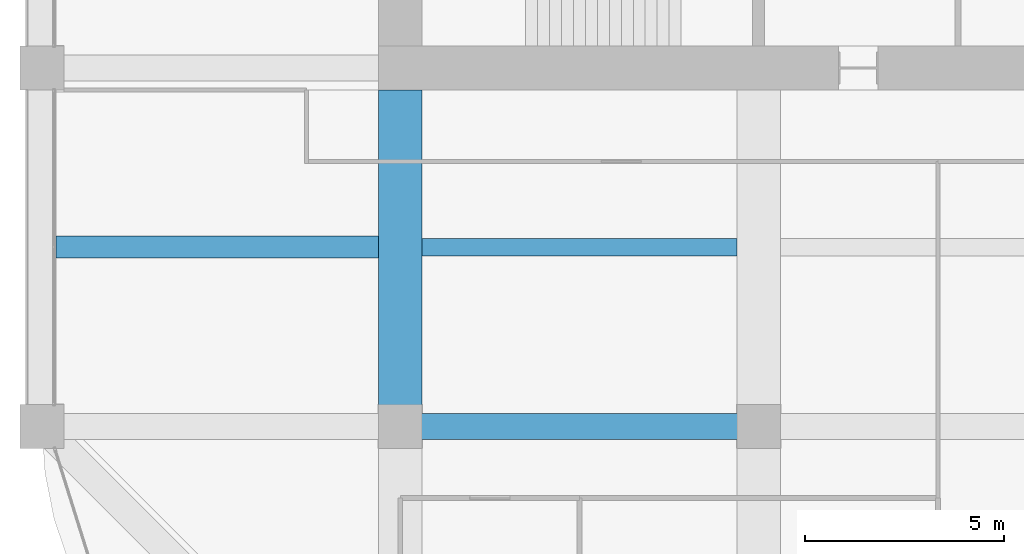
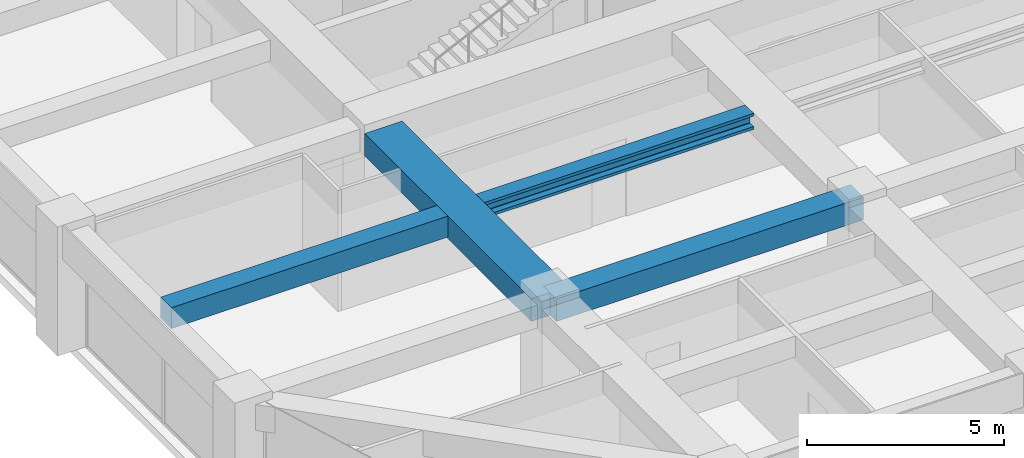
# One storey, part 8 of 44: 4 beams.
"""IFC4 building model written with IfcOpenShell, lengths in metres."""

from ifc_helpers import new_model, si_unit, direction, frame, origin, origin_2d, place, context, subcontext, project, spatial, rectangle, i_section, extrude, material, material_profile, profile_set, type_object, element, save


model = new_model("IFC4")

# Units and contexts
model_context = context("Model", 3, precision=1e-05, world=origin(), true_north=direction((0.0, 1.0)))
body_context = subcontext(model_context, "Body", "Model", "MODEL_VIEW")
ifc_project = project(units=[si_unit("LENGTHUNIT", "METRE"), si_unit("AREAUNIT", "SQUARE_METRE"), si_unit("VOLUMEUNIT", "CUBIC_METRE"), si_unit("PLANEANGLEUNIT", "RADIAN"), si_unit("MASSUNIT", "GRAM", prefix="KILO")], contexts=[model_context])

# Site, building, storey
site_placement = place(None, origin())
site = spatial("IfcSite", under=ifc_project, at=site_placement, CompositionType="ELEMENT")
building_placement = place(site_placement, origin())
building = spatial("IfcBuilding", under=site, at=building_placement, Name="Zorevar Civic Tower", CompositionType="ELEMENT")
storey_placement = place(building_placement, frame((0.0, 0.0, 299.39990234375)))
storey = spatial("IfcBuildingStorey", under=building, at=storey_placement, Name="L73", CompositionType="ELEMENT", Elevation=299.39990234375)

# Beams
ifc_material_1 = material(Name="Concrete C50/60", Category="concrete")
ifc_material_profile_1 = material_profile(ifc_material_1, rectangle(XDim=1.10009765625, YDim=0.699951171875, at=origin_2d()), Name="RC 1100x700")
ifc_profile_set_1 = profile_set([ifc_material_profile_1], Name="Concrete C50/60")
beam_type_1 = type_object("IfcBeamType", Name="Beam RC 1100x700", PredefinedType="BEAM", material=ifc_profile_set_1)
beam_1_placement = place(storey_placement, frame((18.0, 9.0, 3.400146484375), z_axis=(0.0, 1.0, 0.0), x_axis=(-1.0, 0.0, 0.0)))
element("IfcBeam", 1, at=beam_1_placement, inside=storey, type_object=beam_type_1, Name="Girder L74", PredefinedType="BEAM", context=body_context, shape_type="SweptSolid", body=[
    extrude(rectangle(XDim=1.10009765625, YDim=0.699951171875, at=origin_2d()), origin(), (0.0, 0.0, 1.0), 8.449951171875),
])
ifc_material_2 = material(Name="Concrete C50/60", Category="concrete")
ifc_material_profile_2 = material_profile(ifc_material_2, rectangle(XDim=0.550048828125, YDim=0.64990234375, at=origin_2d()), Name="RC 550x650")
ifc_profile_set_2 = profile_set([ifc_material_profile_2], Name="Concrete C50/60")
beam_type_2 = type_object("IfcBeamType", Name="Beam RC 550x650", PredefinedType="BEAM", material=ifc_profile_set_2)
beam_2_placement = place(storey_placement, frame((9.35009765625, 13.5, 3.425048828125), z_axis=(1.0, 0.0, 0.0), x_axis=(0.0, 1.0, 0.0)))
element("IfcBeam", 2, at=beam_2_placement, inside=storey, type_object=beam_type_2, Name="Secondary beam L74", PredefinedType="BEAM", context=body_context, shape_type="SweptSolid", body=[
    extrude(rectangle(XDim=0.550048828125, YDim=0.64990234375, at=origin_2d()), origin(), (0.0, 0.0, 1.0), 8.099853515625),
])
ifc_material_3 = material(Name="Concrete C50/60", Category="concrete")
ifc_material_profile_3 = material_profile(ifc_material_3, rectangle(XDim=0.64990234375, YDim=0.699951171875, at=origin_2d()), Name="RC 650x700")
ifc_profile_set_3 = profile_set([ifc_material_profile_3], Name="Concrete C50/60")
beam_type_3 = type_object("IfcBeamType", Name="Beam RC 650x700", PredefinedType="BEAM", material=ifc_profile_set_3)
beam_3_placement = place(storey_placement, frame((18.0, 9.0, 3.400146484375), z_axis=(1.0, 0.0, 0.0), x_axis=(0.0, 1.0, 0.0)))
element("IfcBeam", 3, at=beam_3_placement, inside=storey, type_object=beam_type_3, Name="Girder L74", PredefinedType="BEAM", context=body_context, shape_type="SweptSolid", body=[
    extrude(rectangle(XDim=0.64990234375, YDim=0.699951171875, at=origin_2d()), origin(), (0.0, 0.0, 1.0), 9.0),
])
ifc_material_4 = material(Name="Steel S460M (HISTAR 460)", Category="steel")
ifc_material_profile_4 = material_profile(ifc_material_4, i_section(OverallWidth=0.431884765625, OverallDepth=0.498046875, WebThickness=0.0556640625, FlangeThickness=0.0888671875, FilletRadius=0.014892578125, at=origin_2d()), Name="HD 400x744")
ifc_profile_set_4 = profile_set([ifc_material_profile_4], Name="Steel S460M (HISTAR 460)")
beam_type_4 = type_object("IfcBeamType", Name="Core bay beam HD 400x744", PredefinedType="BEAM", material=ifc_profile_set_4)
beam_4_placement = place(storey_placement, frame((18.550048828125, 13.5, 3.5009765625), z_axis=(1.0, 0.0, 0.0), x_axis=(0.0, 1.0, 0.0)))
element("IfcBeam", 4, at=beam_4_placement, inside=storey, type_object=beam_type_4, Name="Secondary beam L74", PredefinedType="BEAM", context=body_context, shape_type="SweptSolid", body=[
    extrude(i_section(OverallWidth=0.431884765625, OverallDepth=0.498046875, WebThickness=0.0556640625, FlangeThickness=0.0888671875, FilletRadius=0.014892578125, at=origin_2d()), origin(), (0.0, 0.0, 1.0), 7.89990234375),
])

save(model, "model.ifc")
